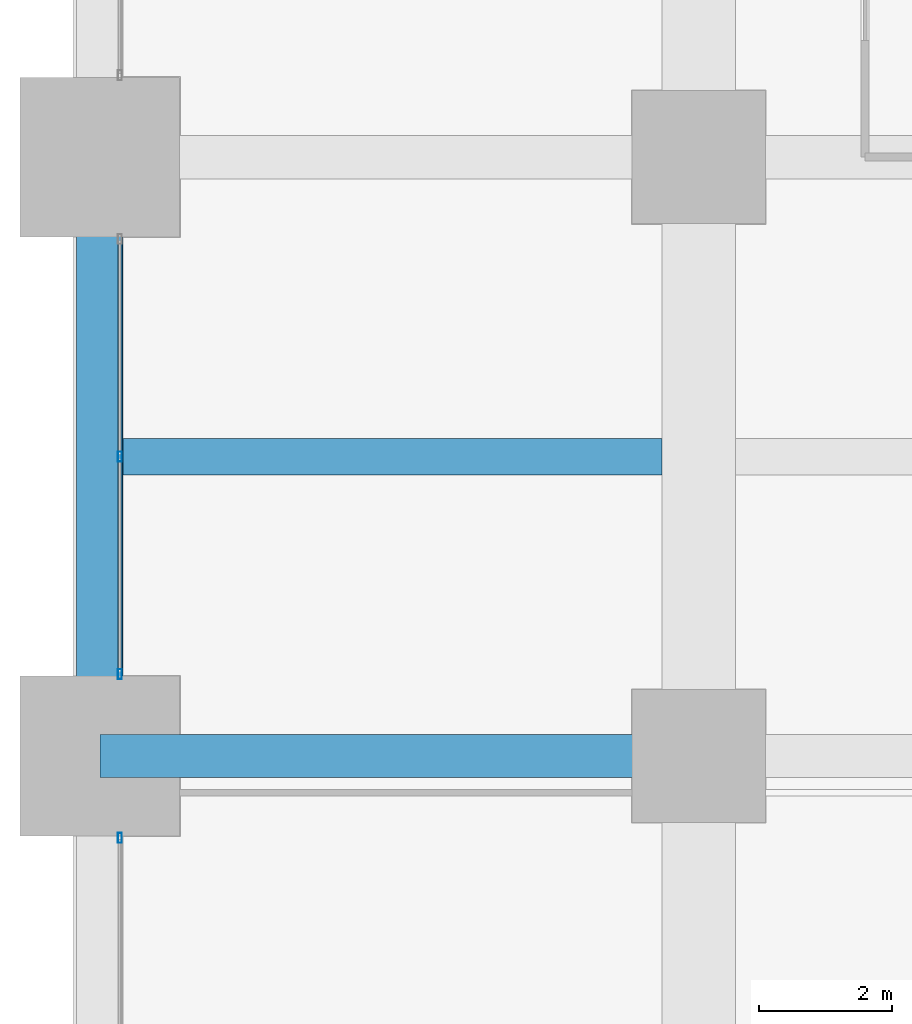
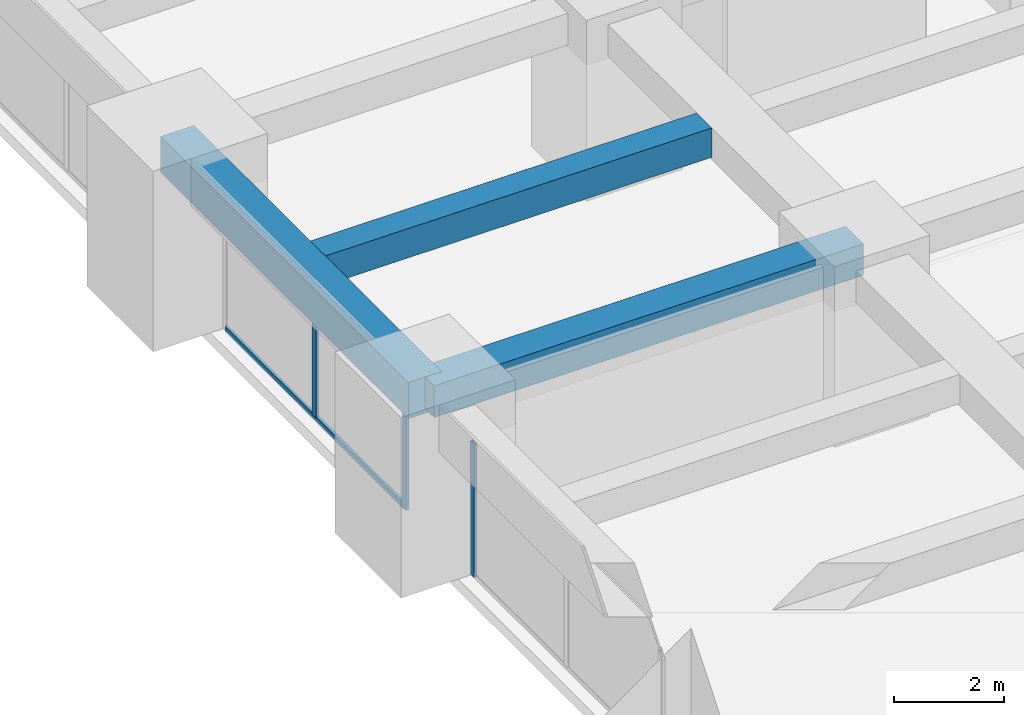
# One storey, part 9 of 39: 4 members, 3 beams, 2 elements without a shape of their own.
"""IFC4 building model written with IfcOpenShell, lengths in metres."""

from ifc_helpers import new_model, si_unit, direction, frame, origin, origin_2d, place, context, subcontext, project, spatial, rectangle, hollow_rectangle, extrude, material, material_profile, profile_set, type_object, element, aggregate, save


model = new_model("IFC4")

# Units and contexts
model_context = context("Model", 3, precision=1e-05, world=origin(), true_north=direction((0.0, 1.0)))
body_context = subcontext(model_context, "Body", "Model", "MODEL_VIEW")
ifc_project = project(units=[si_unit("LENGTHUNIT", "METRE"), si_unit("AREAUNIT", "SQUARE_METRE"), si_unit("VOLUMEUNIT", "CUBIC_METRE"), si_unit("PLANEANGLEUNIT", "RADIAN"), si_unit("MASSUNIT", "GRAM", prefix="KILO")], contexts=[model_context])

# Site, building, storey
site_placement = place(None, origin())
site = spatial("IfcSite", under=ifc_project, at=site_placement, CompositionType="ELEMENT")
building_placement = place(site_placement, origin())
building = spatial("IfcBuilding", under=site, at=building_placement, Name="Zorevar Civic Tower", CompositionType="ELEMENT")
storey_placement = place(building_placement, frame((0.0, 0.0, 121.0)))
storey = spatial("IfcBuildingStorey", under=building, at=storey_placement, Name="L29", CompositionType="ELEMENT", Elevation=121.0)

# Beams
ifc_material_1 = material(Name="Concrete C50/60", Category="concrete")
ifc_material_profile_1 = material_profile(ifc_material_1, rectangle(XDim=0.550048828125, YDim=0.64990234375, at=origin_2d()), Name="RC 550x650")
ifc_profile_set_1 = profile_set([ifc_material_profile_1], Name="Concrete C50/60")
beam_type_1 = type_object("IfcBeamType", Name="Beam RC 550x650", PredefinedType="BEAM", material=ifc_profile_set_1)
beam_1_placement = place(storey_placement, frame((0.35009765625, 22.5, 3.425048828125), z_axis=(1.0, 0.0, 0.0), x_axis=(0.0, 1.0, 0.0)))
element("IfcBeam", 1, at=beam_1_placement, inside=storey, type_object=beam_type_1, Name="Secondary beam L30", PredefinedType="BEAM", context=body_context, shape_type="SweptSolid", body=[
    extrude(rectangle(XDim=0.550048828125, YDim=0.64990234375, at=origin_2d()), origin(), (0.0, 0.0, 1.0), 8.099853515625),
])
ifc_material_2 = material(Name="Concrete C50/60", Category="concrete")
ifc_material_profile_2 = material_profile(ifc_material_2, rectangle(XDim=0.64990234375, YDim=0.699951171875, at=origin_2d()), Name="RC 650x700")
ifc_profile_set_2 = profile_set([ifc_material_profile_2], Name="Concrete C50/60")
beam_type_2 = type_object("IfcBeamType", Name="Beam RC 650x700", PredefinedType="BEAM", material=ifc_profile_set_2)
beam_2_placement = place(storey_placement, frame((0.0, 18.0, 3.39990234375), z_axis=(1.0, 0.0, 0.0), x_axis=(0.0, 1.0, 0.0)))
element("IfcBeam", 2, at=beam_2_placement, inside=storey, type_object=beam_type_2, Name="Girder L30", PredefinedType="BEAM", context=body_context, shape_type="SweptSolid", body=[
    extrude(rectangle(XDim=0.64990234375, YDim=0.699951171875, at=origin_2d()), origin(), (0.0, 0.0, 1.0), 9.0),
])

# Curtain wall, member
ifc_material_3 = material(Name="Dark grey solar-control glass in black aluminium frame", Category="aluminium")
curtain_wall_type = type_object("IfcCurtainWallType", Name="Curtain wall CW3 mid zone", PredefinedType="NOTDEFINED", material=ifc_material_3)
curtain_wall_1_placement = place(storey_placement, origin())
curtain_wall_1 = element("IfcCurtainWall", 3, at=curtain_wall_1_placement, inside=storey, type_object=curtain_wall_type, Name="CW3 L29", PredefinedType="NOTDEFINED")
ifc_material_4 = material(Name="Aluminium, black anodised", Category="aluminium")
ifc_material_profile_3 = material_profile(ifc_material_4, hollow_rectangle(XDim=0.06005859375, YDim=0.14990234375, WallThickness=0.00390625, at=origin_2d()), Name="AL 150x60x4")
ifc_profile_set_3 = profile_set([ifc_material_profile_3], Name="Aluminium, black anodised")
member_type_1 = type_object("IfcMemberType", Name="CW3 mullion AL 150x60x4", PredefinedType="MULLION", material=ifc_profile_set_3)
member_1_placement = place(storey_placement, frame((0.300048828125, 16.77001953125, 0.0), z_axis=(0.0, 0.0, 1.0), x_axis=(-1.0, 0.0, 0.0)))
member_1 = element("IfcMember", 4, at=member_1_placement, type_object=member_type_1, Name="CW3 mullion 3", PredefinedType="MULLION", context=body_context, shape_type="SweptSolid", body=[
    extrude(hollow_rectangle(XDim=0.06005859375, YDim=0.14990234375, WallThickness=0.00390625, at=origin_2d()), origin(), (0.0, 0.0, 1.0), 2.949951171875),
])
aggregate(curtain_wall_1, [member_1])

# Curtain wall, members
curtain_wall_2_placement = place(storey_placement, origin())
curtain_wall_2 = element("IfcCurtainWall", 5, at=curtain_wall_2_placement, inside=storey, type_object=curtain_wall_type, Name="CW3 L29", PredefinedType="NOTDEFINED")
member_2_placement = place(storey_placement, frame((0.300048828125, 19.22998046875, 0.0), z_axis=(0.0, 0.0, 1.0), x_axis=(-1.0, 0.0, 0.0)))
member_2 = element("IfcMember", 6, at=member_2_placement, type_object=member_type_1, Name="CW3 mullion 1", PredefinedType="MULLION", context=body_context, shape_type="SweptSolid", body=[
    extrude(hollow_rectangle(XDim=0.06005859375, YDim=0.14990234375, WallThickness=0.00390625, at=origin_2d()), origin(), (0.0, 0.0, 1.0), 2.949951171875),
])
member_3_placement = place(storey_placement, frame((0.300048828125, 22.5, 0.06005859375), z_axis=(0.0, 0.0, 1.0), x_axis=(-1.0, 0.0, 0.0)))
member_3 = element("IfcMember", 7, at=member_3_placement, type_object=member_type_1, Name="CW3 mullion 2", PredefinedType="MULLION", context=body_context, shape_type="SweptSolid", body=[
    extrude(hollow_rectangle(XDim=0.06005859375, YDim=0.14990234375, WallThickness=0.00390625, at=origin_2d()), origin(), (0.0, 0.0, 1.0), 2.889892578125),
])
ifc_material_5 = material(Name="Aluminium, black anodised", Category="aluminium")
ifc_material_profile_4 = material_profile(ifc_material_5, hollow_rectangle(XDim=0.06005859375, YDim=0.1201171875, WallThickness=0.0029296875, at=origin_2d()), Name="AL 120x60x3")
ifc_profile_set_4 = profile_set([ifc_material_profile_4], Name="Aluminium, black anodised")
member_type_2 = type_object("IfcMemberType", Name="CW3 transom AL 120x60x3", PredefinedType="USERDEFINED", material=ifc_profile_set_4)
member_4_placement = place(storey_placement, frame((0.300048828125, 19.260009765625, 0.030029296875), z_axis=(0.0, 1.0, 0.0), x_axis=(-1.0, 0.0, 0.0)))
member_4 = element("IfcMember", 8, at=member_4_placement, type_object=member_type_2, Name="CW3 sill transom", ObjectType="TRANSOM", PredefinedType="USERDEFINED", context=body_context, shape_type="SweptSolid", body=[
    extrude(hollow_rectangle(XDim=0.06005859375, YDim=0.1201171875, WallThickness=0.0029296875, at=origin_2d()), origin(), (0.0, 0.0, 1.0), 6.47998046875),
])
aggregate(curtain_wall_2, [member_2, member_3, member_4])

# Beam
ifc_material_6 = material(Name="Concrete C50/60", Category="concrete")
ifc_material_profile_5 = material_profile(ifc_material_6, rectangle(XDim=0.699951171875, YDim=0.800048828125, at=origin_2d()), Name="RC 700x800")
ifc_profile_set_5 = profile_set([ifc_material_profile_5], Name="Concrete C50/60")
beam_type_3 = type_object("IfcBeamType", Name="Edge beam RC 700x800", PredefinedType="SPANDREL", material=ifc_profile_set_5)
beam_3_placement = place(storey_placement, frame((0.0, 18.0, 3.35009765625), z_axis=(0.0, 1.0, 0.0), x_axis=(-1.0, 0.0, 0.0)))
element("IfcBeam", 9, at=beam_3_placement, inside=storey, type_object=beam_type_3, Name="Edge beam L30", PredefinedType="SPANDREL", context=body_context, shape_type="SweptSolid", body=[
    extrude(rectangle(XDim=0.699951171875, YDim=0.800048828125, at=origin_2d()), origin(), (0.0, 0.0, 1.0), 9.0),
])

save(model, "model.ifc")
